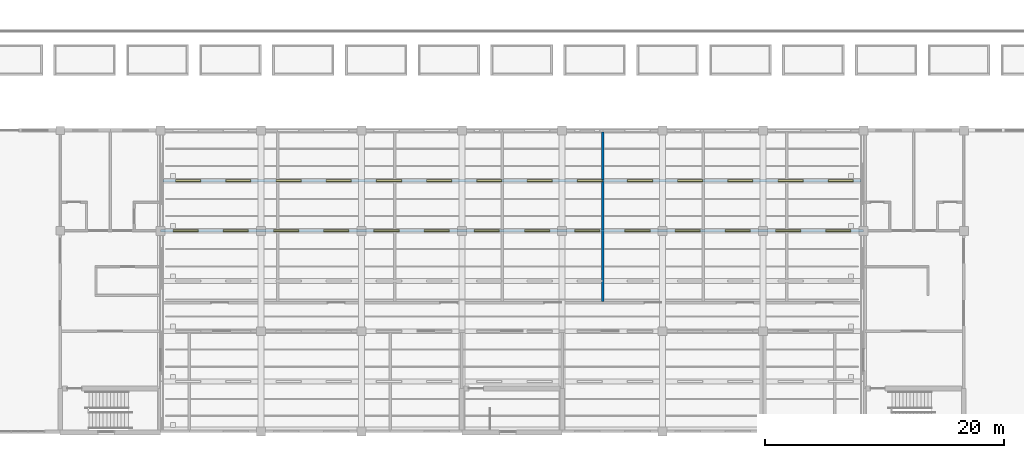
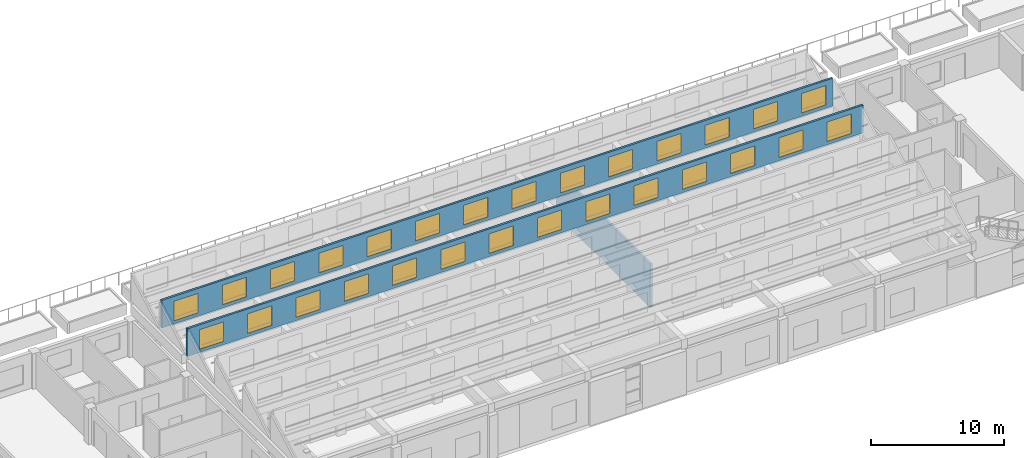
# One storey, part 36 of 61: 28 windows, 3 walls, 28 openings.
"""IFC4 building model written with IfcOpenShell, lengths in metres."""

from ifc_helpers import new_model, si_unit, direction, frame, frame_2d, origin, place, context, subcontext, project, spatial, rectangle, extrude, material, layer, layer_set, type_object, element, fill, save


model = new_model("IFC4")

# Units and contexts
model_context = context("Model", 3, precision=1e-05, world=origin(), true_north=direction((0.0, 1.0)))
body_context = subcontext(model_context, "Body", "Model", "MODEL_VIEW")
ifc_project = project(units=[si_unit("LENGTHUNIT", "METRE"), si_unit("AREAUNIT", "SQUARE_METRE"), si_unit("VOLUMEUNIT", "CUBIC_METRE"), si_unit("PLANEANGLEUNIT", "RADIAN"), si_unit("MASSUNIT", "GRAM", prefix="KILO")], contexts=[model_context])

# Site, building, storey
site_placement = place(None, origin())
site = spatial("IfcSite", under=ifc_project, at=site_placement, CompositionType="ELEMENT")
building_placement = place(site_placement, origin())
building = spatial("IfcBuilding", under=site, at=building_placement, Name="Yavir Park General Hospital", CompositionType="ELEMENT")
storey_placement = place(building_placement, frame((0.0, 0.0, 15.300048828125)))
storey = spatial("IfcBuildingStorey", under=building, at=storey_placement, Name="L03", CompositionType="ELEMENT", Elevation=15.300048828125)

# Wall
ifc_material_1 = material(Name="Double gypsum board fire partition on steel studs", Category="steel")
ifc_layer_1 = layer(ifc_material_1, 0.199951171875)
ifc_layer_set_1 = layer_set([ifc_layer_1], Name="Double gypsum board fire partition on steel studs")
wall_type_1 = type_object("IfcWallType", Name="Fire-rated partition 200, EI 60", PredefinedType="PARTITIONING", material=ifc_layer_set_1)
wall_1_placement = place(storey_placement, frame((79.0, 10.89990234375, 0.0), z_axis=(0.0, 0.0, 1.0), x_axis=(0.0, 1.0, 0.0)))
element("IfcWall", 1, at=wall_1_placement, inside=storey, type_object=wall_type_1, Name="FP20 L03-238", PredefinedType="PARTITIONING", context=body_context, shape_type="SweptSolid", body=[
    extrude(rectangle(XDim=14.150146484375, YDim=0.199951171875, at=frame_2d((7.0751953125, 0.0))), origin(), (0.0, 0.0, 1.0), 4.0),
])

# Wall, openings, windows
ifc_material_2 = material(Name="Concrete C30/37 upstand with 80 mm mineral wool insulation", Category="concrete")
ifc_layer_2 = layer(ifc_material_2, 0.199951171875)
ifc_layer_set_2 = layer_set([ifc_layer_2], Name="Concrete C30/37 upstand with 80 mm mineral wool insulation")
wall_type_2 = type_object("IfcWallType", Name="Reinforced concrete louvre upstand wall 200, E 30", PredefinedType="SOLIDWALL", material=ifc_layer_set_2)
wall_2_placement = place(storey_placement, frame((42.0, 16.800048828125, 4.904052734375), z_axis=(0.0, 0.0, 1.0), x_axis=(1.0, 0.0, 0.0)))
wall_2 = element("IfcWall", 2, at=wall_2_placement, inside=storey, type_object=wall_type_2, Name="XW11 L03-S04", PredefinedType="SOLIDWALL", context=body_context, shape_type="SweptSolid", body=[
    extrude(rectangle(XDim=58.800048828125, YDim=0.199951171875, at=frame_2d((29.39990234375, 0.0))), origin(), (0.0, 0.0, 1.0), 2.538818359375),
])
opening_1_placement = place(wall_2_placement, frame((1.050048828125, 0.0, 0.300048828125)))
opening_1 = element("IfcOpeningElement", 3, at=opening_1_placement, cuts=wall_2, Name="Opening LV5", PredefinedType="OPENING", context=body_context, shape_type="SweptSolid", body=[
    extrude(rectangle(XDim=2.10009765625, YDim=1.800048828125, at=frame_2d((1.050048828125, 0.89990234375))), frame((0.0, 0.10986328125, 0.0), z_axis=(0.0, -1.0, 0.0), x_axis=(1.0, 0.0, 0.0)), (0.0, 0.0, 1.0), 0.219970703125),
])
opening_2_placement = place(wall_2_placement, frame((5.25, 0.0, 0.300048828125)))
opening_2 = element("IfcOpeningElement", 4, at=opening_2_placement, cuts=wall_2, Name="Opening LV5", PredefinedType="OPENING", context=body_context, shape_type="SweptSolid", body=[
    extrude(rectangle(XDim=2.10009765625, YDim=1.800048828125, at=frame_2d((1.050048828125, 0.89990234375))), frame((0.0, 0.10986328125, 0.0), z_axis=(0.0, -1.0, 0.0), x_axis=(1.0, 0.0, 0.0)), (0.0, 0.0, 1.0), 0.219970703125),
])
opening_3_placement = place(wall_2_placement, frame((9.449951171875, 0.0, 0.300048828125)))
opening_3 = element("IfcOpeningElement", 5, at=opening_3_placement, cuts=wall_2, Name="Opening LV5", PredefinedType="OPENING", context=body_context, shape_type="SweptSolid", body=[
    extrude(rectangle(XDim=2.10009765625, YDim=1.800048828125, at=frame_2d((1.050048828125, 0.89990234375))), frame((0.0, 0.10986328125, 0.0), z_axis=(0.0, -1.0, 0.0), x_axis=(1.0, 0.0, 0.0)), (0.0, 0.0, 1.0), 0.219970703125),
])
opening_4_placement = place(wall_2_placement, frame((13.64990234375, 0.0, 0.300048828125)))
opening_4 = element("IfcOpeningElement", 6, at=opening_4_placement, cuts=wall_2, Name="Opening LV5", PredefinedType="OPENING", context=body_context, shape_type="SweptSolid", body=[
    extrude(rectangle(XDim=2.10009765625, YDim=1.800048828125, at=frame_2d((1.050048828125, 0.89990234375))), frame((0.0, 0.10986328125, 0.0), z_axis=(0.0, -1.0, 0.0), x_axis=(1.0, 0.0, 0.0)), (0.0, 0.0, 1.0), 0.219970703125),
])
opening_5_placement = place(wall_2_placement, frame((17.85009765625, 0.0, 0.300048828125)))
opening_5 = element("IfcOpeningElement", 7, at=opening_5_placement, cuts=wall_2, Name="Opening LV5", PredefinedType="OPENING", context=body_context, shape_type="SweptSolid", body=[
    extrude(rectangle(XDim=2.10009765625, YDim=1.800048828125, at=frame_2d((1.050048828125, 0.89990234375))), frame((0.0, 0.10986328125, 0.0), z_axis=(0.0, -1.0, 0.0), x_axis=(1.0, 0.0, 0.0)), (0.0, 0.0, 1.0), 0.219970703125),
])
opening_6_placement = place(wall_2_placement, frame((22.050048828125, 0.0, 0.300048828125)))
opening_6 = element("IfcOpeningElement", 8, at=opening_6_placement, cuts=wall_2, Name="Opening LV5", PredefinedType="OPENING", context=body_context, shape_type="SweptSolid", body=[
    extrude(rectangle(XDim=2.10009765625, YDim=1.800048828125, at=frame_2d((1.050048828125, 0.89990234375))), frame((0.0, 0.10986328125, 0.0), z_axis=(0.0, -1.0, 0.0), x_axis=(1.0, 0.0, 0.0)), (0.0, 0.0, 1.0), 0.219970703125),
])
opening_7_placement = place(wall_2_placement, frame((26.25, 0.0, 0.300048828125)))
opening_7 = element("IfcOpeningElement", 9, at=opening_7_placement, cuts=wall_2, Name="Opening LV5", PredefinedType="OPENING", context=body_context, shape_type="SweptSolid", body=[
    extrude(rectangle(XDim=2.10009765625, YDim=1.800048828125, at=frame_2d((1.050048828125, 0.89990234375))), frame((0.0, 0.10986328125, 0.0), z_axis=(0.0, -1.0, 0.0), x_axis=(1.0, 0.0, 0.0)), (0.0, 0.0, 1.0), 0.219970703125),
])
opening_8_placement = place(wall_2_placement, frame((30.449951171875, 0.0, 0.300048828125)))
opening_8 = element("IfcOpeningElement", 10, at=opening_8_placement, cuts=wall_2, Name="Opening LV5", PredefinedType="OPENING", context=body_context, shape_type="SweptSolid", body=[
    extrude(rectangle(XDim=2.10009765625, YDim=1.800048828125, at=frame_2d((1.050048828125, 0.89990234375))), frame((0.0, 0.10986328125, 0.0), z_axis=(0.0, -1.0, 0.0), x_axis=(1.0, 0.0, 0.0)), (0.0, 0.0, 1.0), 0.219970703125),
])
opening_9_placement = place(wall_2_placement, frame((34.64990234375, 0.0, 0.300048828125)))
opening_9 = element("IfcOpeningElement", 11, at=opening_9_placement, cuts=wall_2, Name="Opening LV5", PredefinedType="OPENING", context=body_context, shape_type="SweptSolid", body=[
    extrude(rectangle(XDim=2.10009765625, YDim=1.800048828125, at=frame_2d((1.050048828125, 0.89990234375))), frame((0.0, 0.10986328125, 0.0), z_axis=(0.0, -1.0, 0.0), x_axis=(1.0, 0.0, 0.0)), (0.0, 0.0, 1.0), 0.219970703125),
])
opening_10_placement = place(wall_2_placement, frame((38.85009765625, 0.0, 0.300048828125)))
opening_10 = element("IfcOpeningElement", 12, at=opening_10_placement, cuts=wall_2, Name="Opening LV5", PredefinedType="OPENING", context=body_context, shape_type="SweptSolid", body=[
    extrude(rectangle(XDim=2.10009765625, YDim=1.800048828125, at=frame_2d((1.050048828125, 0.89990234375))), frame((0.0, 0.10986328125, 0.0), z_axis=(0.0, -1.0, 0.0), x_axis=(1.0, 0.0, 0.0)), (0.0, 0.0, 1.0), 0.219970703125),
])
opening_11_placement = place(wall_2_placement, frame((43.050048828125, 0.0, 0.300048828125)))
opening_11 = element("IfcOpeningElement", 13, at=opening_11_placement, cuts=wall_2, Name="Opening LV5", PredefinedType="OPENING", context=body_context, shape_type="SweptSolid", body=[
    extrude(rectangle(XDim=2.10009765625, YDim=1.800048828125, at=frame_2d((1.050048828125, 0.89990234375))), frame((0.0, 0.10986328125, 0.0), z_axis=(0.0, -1.0, 0.0), x_axis=(1.0, 0.0, 0.0)), (0.0, 0.0, 1.0), 0.219970703125),
])
opening_12_placement = place(wall_2_placement, frame((47.25, 0.0, 0.300048828125)))
opening_12 = element("IfcOpeningElement", 14, at=opening_12_placement, cuts=wall_2, Name="Opening LV5", PredefinedType="OPENING", context=body_context, shape_type="SweptSolid", body=[
    extrude(rectangle(XDim=2.10009765625, YDim=1.800048828125, at=frame_2d((1.050048828125, 0.89990234375))), frame((0.0, 0.10986328125, 0.0), z_axis=(0.0, -1.0, 0.0), x_axis=(1.0, 0.0, 0.0)), (0.0, 0.0, 1.0), 0.219970703125),
])
opening_13_placement = place(wall_2_placement, frame((51.449951171875, 0.0, 0.300048828125)))
opening_13 = element("IfcOpeningElement", 15, at=opening_13_placement, cuts=wall_2, Name="Opening LV5", PredefinedType="OPENING", context=body_context, shape_type="SweptSolid", body=[
    extrude(rectangle(XDim=2.10009765625, YDim=1.800048828125, at=frame_2d((1.050048828125, 0.89990234375))), frame((0.0, 0.10986328125, 0.0), z_axis=(0.0, -1.0, 0.0), x_axis=(1.0, 0.0, 0.0)), (0.0, 0.0, 1.0), 0.219970703125),
])
opening_14_placement = place(wall_2_placement, frame((55.64990234375, 0.0, 0.300048828125)))
opening_14 = element("IfcOpeningElement", 16, at=opening_14_placement, cuts=wall_2, Name="Opening LV5", PredefinedType="OPENING", context=body_context, shape_type="SweptSolid", body=[
    extrude(rectangle(XDim=2.10009765625, YDim=1.800048828125, at=frame_2d((1.050048828125, 0.89990234375))), frame((0.0, 0.10986328125, 0.0), z_axis=(0.0, -1.0, 0.0), x_axis=(1.0, 0.0, 0.0)), (0.0, 0.0, 1.0), 0.219970703125),
])
ifc_material_3 = material(Name="Anodised aluminium louvre blades in a deep frame", Category="aluminium")
window_type = type_object("IfcWindowType", Name="Sawtooth louvre 2100 x 1800", PartitioningType="SINGLE_PANEL", PredefinedType="WINDOW", material=ifc_material_3)
window_1_placement = place(opening_1_placement, origin())
window_1 = element("IfcWindow", 17, at=window_1_placement, inside=storey, type_object=window_type, Name="LV5 L03-S04-01", OverallHeight=1.800048828125, OverallWidth=2.10009765625, PartitioningType="SINGLE_PANEL", PredefinedType="WINDOW", context=body_context, shape_type="SweptSolid", body=[
    extrude(rectangle(XDim=2.10009765625, YDim=1.800048828125, at=frame_2d((1.050048828125, 0.89990234375))), frame((0.0, 0.074951171875, 0.0), z_axis=(0.0, -1.0, 0.0), x_axis=(1.0, 0.0, 0.0)), (0.0, 0.0, 1.0), 0.14990234375),
])
fill(opening_1, window_1)
window_2_placement = place(opening_2_placement, origin())
window_2 = element("IfcWindow", 18, at=window_2_placement, inside=storey, type_object=window_type, Name="LV5 L03-S04-02", OverallHeight=1.800048828125, OverallWidth=2.10009765625, PartitioningType="SINGLE_PANEL", PredefinedType="WINDOW", context=body_context, shape_type="SweptSolid", body=[
    extrude(rectangle(XDim=2.10009765625, YDim=1.800048828125, at=frame_2d((1.050048828125, 0.89990234375))), frame((0.0, 0.074951171875, 0.0), z_axis=(0.0, -1.0, 0.0), x_axis=(1.0, 0.0, 0.0)), (0.0, 0.0, 1.0), 0.14990234375),
])
fill(opening_2, window_2)
window_3_placement = place(opening_3_placement, origin())
window_3 = element("IfcWindow", 19, at=window_3_placement, inside=storey, type_object=window_type, Name="LV5 L03-S04-03", OverallHeight=1.800048828125, OverallWidth=2.10009765625, PartitioningType="SINGLE_PANEL", PredefinedType="WINDOW", context=body_context, shape_type="SweptSolid", body=[
    extrude(rectangle(XDim=2.10009765625, YDim=1.800048828125, at=frame_2d((1.050048828125, 0.89990234375))), frame((0.0, 0.074951171875, 0.0), z_axis=(0.0, -1.0, 0.0), x_axis=(1.0, 0.0, 0.0)), (0.0, 0.0, 1.0), 0.14990234375),
])
fill(opening_3, window_3)
window_4_placement = place(opening_4_placement, origin())
window_4 = element("IfcWindow", 20, at=window_4_placement, inside=storey, type_object=window_type, Name="LV5 L03-S04-04", OverallHeight=1.800048828125, OverallWidth=2.10009765625, PartitioningType="SINGLE_PANEL", PredefinedType="WINDOW", context=body_context, shape_type="SweptSolid", body=[
    extrude(rectangle(XDim=2.10009765625, YDim=1.800048828125, at=frame_2d((1.050048828125, 0.89990234375))), frame((0.0, 0.074951171875, 0.0), z_axis=(0.0, -1.0, 0.0), x_axis=(1.0, 0.0, 0.0)), (0.0, 0.0, 1.0), 0.14990234375),
])
fill(opening_4, window_4)
window_5_placement = place(opening_5_placement, origin())
window_5 = element("IfcWindow", 21, at=window_5_placement, inside=storey, type_object=window_type, Name="LV5 L03-S04-05", OverallHeight=1.800048828125, OverallWidth=2.10009765625, PartitioningType="SINGLE_PANEL", PredefinedType="WINDOW", context=body_context, shape_type="SweptSolid", body=[
    extrude(rectangle(XDim=2.10009765625, YDim=1.800048828125, at=frame_2d((1.050048828125, 0.89990234375))), frame((0.0, 0.074951171875, 0.0), z_axis=(0.0, -1.0, 0.0), x_axis=(1.0, 0.0, 0.0)), (0.0, 0.0, 1.0), 0.14990234375),
])
fill(opening_5, window_5)
window_6_placement = place(opening_6_placement, origin())
window_6 = element("IfcWindow", 22, at=window_6_placement, inside=storey, type_object=window_type, Name="LV5 L03-S04-06", OverallHeight=1.800048828125, OverallWidth=2.10009765625, PartitioningType="SINGLE_PANEL", PredefinedType="WINDOW", context=body_context, shape_type="SweptSolid", body=[
    extrude(rectangle(XDim=2.10009765625, YDim=1.800048828125, at=frame_2d((1.050048828125, 0.89990234375))), frame((0.0, 0.074951171875, 0.0), z_axis=(0.0, -1.0, 0.0), x_axis=(1.0, 0.0, 0.0)), (0.0, 0.0, 1.0), 0.14990234375),
])
fill(opening_6, window_6)
window_7_placement = place(opening_7_placement, origin())
window_7 = element("IfcWindow", 23, at=window_7_placement, inside=storey, type_object=window_type, Name="LV5 L03-S04-07", OverallHeight=1.800048828125, OverallWidth=2.10009765625, PartitioningType="SINGLE_PANEL", PredefinedType="WINDOW", context=body_context, shape_type="SweptSolid", body=[
    extrude(rectangle(XDim=2.10009765625, YDim=1.800048828125, at=frame_2d((1.050048828125, 0.89990234375))), frame((0.0, 0.074951171875, 0.0), z_axis=(0.0, -1.0, 0.0), x_axis=(1.0, 0.0, 0.0)), (0.0, 0.0, 1.0), 0.14990234375),
])
fill(opening_7, window_7)
window_8_placement = place(opening_8_placement, origin())
window_8 = element("IfcWindow", 24, at=window_8_placement, inside=storey, type_object=window_type, Name="LV5 L03-S04-08", OverallHeight=1.800048828125, OverallWidth=2.10009765625, PartitioningType="SINGLE_PANEL", PredefinedType="WINDOW", context=body_context, shape_type="SweptSolid", body=[
    extrude(rectangle(XDim=2.10009765625, YDim=1.800048828125, at=frame_2d((1.050048828125, 0.89990234375))), frame((0.0, 0.074951171875, 0.0), z_axis=(0.0, -1.0, 0.0), x_axis=(1.0, 0.0, 0.0)), (0.0, 0.0, 1.0), 0.14990234375),
])
fill(opening_8, window_8)
window_9_placement = place(opening_9_placement, origin())
window_9 = element("IfcWindow", 25, at=window_9_placement, inside=storey, type_object=window_type, Name="LV5 L03-S04-09", OverallHeight=1.800048828125, OverallWidth=2.10009765625, PartitioningType="SINGLE_PANEL", PredefinedType="WINDOW", context=body_context, shape_type="SweptSolid", body=[
    extrude(rectangle(XDim=2.10009765625, YDim=1.800048828125, at=frame_2d((1.050048828125, 0.89990234375))), frame((0.0, 0.074951171875, 0.0), z_axis=(0.0, -1.0, 0.0), x_axis=(1.0, 0.0, 0.0)), (0.0, 0.0, 1.0), 0.14990234375),
])
fill(opening_9, window_9)
window_10_placement = place(opening_10_placement, origin())
window_10 = element("IfcWindow", 26, at=window_10_placement, inside=storey, type_object=window_type, Name="LV5 L03-S04-10", OverallHeight=1.800048828125, OverallWidth=2.10009765625, PartitioningType="SINGLE_PANEL", PredefinedType="WINDOW", context=body_context, shape_type="SweptSolid", body=[
    extrude(rectangle(XDim=2.10009765625, YDim=1.800048828125, at=frame_2d((1.050048828125, 0.89990234375))), frame((0.0, 0.074951171875, 0.0), z_axis=(0.0, -1.0, 0.0), x_axis=(1.0, 0.0, 0.0)), (0.0, 0.0, 1.0), 0.14990234375),
])
fill(opening_10, window_10)
window_11_placement = place(opening_11_placement, origin())
window_11 = element("IfcWindow", 27, at=window_11_placement, inside=storey, type_object=window_type, Name="LV5 L03-S04-11", OverallHeight=1.800048828125, OverallWidth=2.10009765625, PartitioningType="SINGLE_PANEL", PredefinedType="WINDOW", context=body_context, shape_type="SweptSolid", body=[
    extrude(rectangle(XDim=2.10009765625, YDim=1.800048828125, at=frame_2d((1.050048828125, 0.89990234375))), frame((0.0, 0.074951171875, 0.0), z_axis=(0.0, -1.0, 0.0), x_axis=(1.0, 0.0, 0.0)), (0.0, 0.0, 1.0), 0.14990234375),
])
fill(opening_11, window_11)
window_12_placement = place(opening_12_placement, origin())
window_12 = element("IfcWindow", 28, at=window_12_placement, inside=storey, type_object=window_type, Name="LV5 L03-S04-12", OverallHeight=1.800048828125, OverallWidth=2.10009765625, PartitioningType="SINGLE_PANEL", PredefinedType="WINDOW", context=body_context, shape_type="SweptSolid", body=[
    extrude(rectangle(XDim=2.10009765625, YDim=1.800048828125, at=frame_2d((1.050048828125, 0.89990234375))), frame((0.0, 0.074951171875, 0.0), z_axis=(0.0, -1.0, 0.0), x_axis=(1.0, 0.0, 0.0)), (0.0, 0.0, 1.0), 0.14990234375),
])
fill(opening_12, window_12)
window_13_placement = place(opening_13_placement, origin())
window_13 = element("IfcWindow", 29, at=window_13_placement, inside=storey, type_object=window_type, Name="LV5 L03-S04-13", OverallHeight=1.800048828125, OverallWidth=2.10009765625, PartitioningType="SINGLE_PANEL", PredefinedType="WINDOW", context=body_context, shape_type="SweptSolid", body=[
    extrude(rectangle(XDim=2.10009765625, YDim=1.800048828125, at=frame_2d((1.050048828125, 0.89990234375))), frame((0.0, 0.074951171875, 0.0), z_axis=(0.0, -1.0, 0.0), x_axis=(1.0, 0.0, 0.0)), (0.0, 0.0, 1.0), 0.14990234375),
])
fill(opening_13, window_13)
window_14_placement = place(opening_14_placement, origin())
window_14 = element("IfcWindow", 30, at=window_14_placement, inside=storey, type_object=window_type, Name="LV5 L03-S04-14", OverallHeight=1.800048828125, OverallWidth=2.10009765625, PartitioningType="SINGLE_PANEL", PredefinedType="WINDOW", context=body_context, shape_type="SweptSolid", body=[
    extrude(rectangle(XDim=2.10009765625, YDim=1.800048828125, at=frame_2d((1.050048828125, 0.89990234375))), frame((0.0, 0.074951171875, 0.0), z_axis=(0.0, -1.0, 0.0), x_axis=(1.0, 0.0, 0.0)), (0.0, 0.0, 1.0), 0.14990234375),
])
fill(opening_14, window_14)

wall_3_placement = place(storey_placement, frame((42.2099609375, 21.0, 4.904052734375), z_axis=(0.0, 0.0, 1.0), x_axis=(1.0, 0.0, 0.0)))
wall_3 = element("IfcWall", 31, at=wall_3_placement, inside=storey, type_object=wall_type_2, Name="XW11 L03-S05", PredefinedType="SOLIDWALL", context=body_context, shape_type="SweptSolid", body=[
    extrude(rectangle(XDim=58.380126953125, YDim=0.199951171875, at=frame_2d((29.18994140625, 0.0))), origin(), (0.0, 0.0, 1.0), 2.538818359375),
])
opening_15_placement = place(wall_3_placement, frame((1.050048828125, 0.0, 0.300048828125)))
opening_15 = element("IfcOpeningElement", 32, at=opening_15_placement, cuts=wall_3, Name="Opening LV5", PredefinedType="OPENING", context=body_context, shape_type="SweptSolid", body=[
    extrude(rectangle(XDim=2.10009765625, YDim=1.800048828125, at=frame_2d((1.050048828125, 0.89990234375))), frame((0.0, 0.10986328125, 0.0), z_axis=(0.0, -1.0, 0.0), x_axis=(1.0, 0.0, 0.0)), (0.0, 0.0, 1.0), 0.219970703125),
])
opening_16_placement = place(wall_3_placement, frame((5.25, 0.0, 0.300048828125)))
opening_16 = element("IfcOpeningElement", 33, at=opening_16_placement, cuts=wall_3, Name="Opening LV5", PredefinedType="OPENING", context=body_context, shape_type="SweptSolid", body=[
    extrude(rectangle(XDim=2.10009765625, YDim=1.800048828125, at=frame_2d((1.050048828125, 0.89990234375))), frame((0.0, 0.10986328125, 0.0), z_axis=(0.0, -1.0, 0.0), x_axis=(1.0, 0.0, 0.0)), (0.0, 0.0, 1.0), 0.219970703125),
])
opening_17_placement = place(wall_3_placement, frame((9.449951171875, 0.0, 0.300048828125)))
opening_17 = element("IfcOpeningElement", 34, at=opening_17_placement, cuts=wall_3, Name="Opening LV5", PredefinedType="OPENING", context=body_context, shape_type="SweptSolid", body=[
    extrude(rectangle(XDim=2.10009765625, YDim=1.800048828125, at=frame_2d((1.050048828125, 0.89990234375))), frame((0.0, 0.10986328125, 0.0), z_axis=(0.0, -1.0, 0.0), x_axis=(1.0, 0.0, 0.0)), (0.0, 0.0, 1.0), 0.219970703125),
])
opening_18_placement = place(wall_3_placement, frame((13.64990234375, 0.0, 0.300048828125)))
opening_18 = element("IfcOpeningElement", 35, at=opening_18_placement, cuts=wall_3, Name="Opening LV5", PredefinedType="OPENING", context=body_context, shape_type="SweptSolid", body=[
    extrude(rectangle(XDim=2.10009765625, YDim=1.800048828125, at=frame_2d((1.050048828125, 0.89990234375))), frame((0.0, 0.10986328125, 0.0), z_axis=(0.0, -1.0, 0.0), x_axis=(1.0, 0.0, 0.0)), (0.0, 0.0, 1.0), 0.219970703125),
])
opening_19_placement = place(wall_3_placement, frame((17.85009765625, 0.0, 0.300048828125)))
opening_19 = element("IfcOpeningElement", 36, at=opening_19_placement, cuts=wall_3, Name="Opening LV5", PredefinedType="OPENING", context=body_context, shape_type="SweptSolid", body=[
    extrude(rectangle(XDim=2.10009765625, YDim=1.800048828125, at=frame_2d((1.050048828125, 0.89990234375))), frame((0.0, 0.10986328125, 0.0), z_axis=(0.0, -1.0, 0.0), x_axis=(1.0, 0.0, 0.0)), (0.0, 0.0, 1.0), 0.219970703125),
])
opening_20_placement = place(wall_3_placement, frame((22.050048828125, 0.0, 0.300048828125)))
opening_20 = element("IfcOpeningElement", 37, at=opening_20_placement, cuts=wall_3, Name="Opening LV5", PredefinedType="OPENING", context=body_context, shape_type="SweptSolid", body=[
    extrude(rectangle(XDim=2.10009765625, YDim=1.800048828125, at=frame_2d((1.050048828125, 0.89990234375))), frame((0.0, 0.10986328125, 0.0), z_axis=(0.0, -1.0, 0.0), x_axis=(1.0, 0.0, 0.0)), (0.0, 0.0, 1.0), 0.219970703125),
])
opening_21_placement = place(wall_3_placement, frame((26.25, 0.0, 0.300048828125)))
opening_21 = element("IfcOpeningElement", 38, at=opening_21_placement, cuts=wall_3, Name="Opening LV5", PredefinedType="OPENING", context=body_context, shape_type="SweptSolid", body=[
    extrude(rectangle(XDim=2.10009765625, YDim=1.800048828125, at=frame_2d((1.050048828125, 0.89990234375))), frame((0.0, 0.10986328125, 0.0), z_axis=(0.0, -1.0, 0.0), x_axis=(1.0, 0.0, 0.0)), (0.0, 0.0, 1.0), 0.219970703125),
])
opening_22_placement = place(wall_3_placement, frame((30.449951171875, 0.0, 0.300048828125)))
opening_22 = element("IfcOpeningElement", 39, at=opening_22_placement, cuts=wall_3, Name="Opening LV5", PredefinedType="OPENING", context=body_context, shape_type="SweptSolid", body=[
    extrude(rectangle(XDim=2.10009765625, YDim=1.800048828125, at=frame_2d((1.050048828125, 0.89990234375))), frame((0.0, 0.10986328125, 0.0), z_axis=(0.0, -1.0, 0.0), x_axis=(1.0, 0.0, 0.0)), (0.0, 0.0, 1.0), 0.219970703125),
])
opening_23_placement = place(wall_3_placement, frame((34.64990234375, 0.0, 0.300048828125)))
opening_23 = element("IfcOpeningElement", 40, at=opening_23_placement, cuts=wall_3, Name="Opening LV5", PredefinedType="OPENING", context=body_context, shape_type="SweptSolid", body=[
    extrude(rectangle(XDim=2.10009765625, YDim=1.800048828125, at=frame_2d((1.050048828125, 0.89990234375))), frame((0.0, 0.10986328125, 0.0), z_axis=(0.0, -1.0, 0.0), x_axis=(1.0, 0.0, 0.0)), (0.0, 0.0, 1.0), 0.219970703125),
])
opening_24_placement = place(wall_3_placement, frame((38.85009765625, 0.0, 0.300048828125)))
opening_24 = element("IfcOpeningElement", 41, at=opening_24_placement, cuts=wall_3, Name="Opening LV5", PredefinedType="OPENING", context=body_context, shape_type="SweptSolid", body=[
    extrude(rectangle(XDim=2.10009765625, YDim=1.800048828125, at=frame_2d((1.050048828125, 0.89990234375))), frame((0.0, 0.10986328125, 0.0), z_axis=(0.0, -1.0, 0.0), x_axis=(1.0, 0.0, 0.0)), (0.0, 0.0, 1.0), 0.219970703125),
])
opening_25_placement = place(wall_3_placement, frame((43.050048828125, 0.0, 0.300048828125)))
opening_25 = element("IfcOpeningElement", 42, at=opening_25_placement, cuts=wall_3, Name="Opening LV5", PredefinedType="OPENING", context=body_context, shape_type="SweptSolid", body=[
    extrude(rectangle(XDim=2.10009765625, YDim=1.800048828125, at=frame_2d((1.050048828125, 0.89990234375))), frame((0.0, 0.10986328125, 0.0), z_axis=(0.0, -1.0, 0.0), x_axis=(1.0, 0.0, 0.0)), (0.0, 0.0, 1.0), 0.219970703125),
])
opening_26_placement = place(wall_3_placement, frame((47.25, 0.0, 0.300048828125)))
opening_26 = element("IfcOpeningElement", 43, at=opening_26_placement, cuts=wall_3, Name="Opening LV5", PredefinedType="OPENING", context=body_context, shape_type="SweptSolid", body=[
    extrude(rectangle(XDim=2.10009765625, YDim=1.800048828125, at=frame_2d((1.050048828125, 0.89990234375))), frame((0.0, 0.10986328125, 0.0), z_axis=(0.0, -1.0, 0.0), x_axis=(1.0, 0.0, 0.0)), (0.0, 0.0, 1.0), 0.219970703125),
])
opening_27_placement = place(wall_3_placement, frame((51.449951171875, 0.0, 0.300048828125)))
opening_27 = element("IfcOpeningElement", 44, at=opening_27_placement, cuts=wall_3, Name="Opening LV5", PredefinedType="OPENING", context=body_context, shape_type="SweptSolid", body=[
    extrude(rectangle(XDim=2.10009765625, YDim=1.800048828125, at=frame_2d((1.050048828125, 0.89990234375))), frame((0.0, 0.10986328125, 0.0), z_axis=(0.0, -1.0, 0.0), x_axis=(1.0, 0.0, 0.0)), (0.0, 0.0, 1.0), 0.219970703125),
])
opening_28_placement = place(wall_3_placement, frame((55.64990234375, 0.0, 0.300048828125)))
opening_28 = element("IfcOpeningElement", 45, at=opening_28_placement, cuts=wall_3, Name="Opening LV5", PredefinedType="OPENING", context=body_context, shape_type="SweptSolid", body=[
    extrude(rectangle(XDim=2.10009765625, YDim=1.800048828125, at=frame_2d((1.050048828125, 0.89990234375))), frame((0.0, 0.10986328125, 0.0), z_axis=(0.0, -1.0, 0.0), x_axis=(1.0, 0.0, 0.0)), (0.0, 0.0, 1.0), 0.219970703125),
])
window_15_placement = place(opening_15_placement, origin())
window_15 = element("IfcWindow", 46, at=window_15_placement, inside=storey, type_object=window_type, Name="LV5 L03-S05-01", OverallHeight=1.800048828125, OverallWidth=2.10009765625, PartitioningType="SINGLE_PANEL", PredefinedType="WINDOW", context=body_context, shape_type="SweptSolid", body=[
    extrude(rectangle(XDim=2.10009765625, YDim=1.800048828125, at=frame_2d((1.050048828125, 0.89990234375))), frame((0.0, 0.074951171875, 0.0), z_axis=(0.0, -1.0, 0.0), x_axis=(1.0, 0.0, 0.0)), (0.0, 0.0, 1.0), 0.14990234375),
])
fill(opening_15, window_15)
window_16_placement = place(opening_16_placement, origin())
window_16 = element("IfcWindow", 47, at=window_16_placement, inside=storey, type_object=window_type, Name="LV5 L03-S05-02", OverallHeight=1.800048828125, OverallWidth=2.10009765625, PartitioningType="SINGLE_PANEL", PredefinedType="WINDOW", context=body_context, shape_type="SweptSolid", body=[
    extrude(rectangle(XDim=2.10009765625, YDim=1.800048828125, at=frame_2d((1.050048828125, 0.89990234375))), frame((0.0, 0.074951171875, 0.0), z_axis=(0.0, -1.0, 0.0), x_axis=(1.0, 0.0, 0.0)), (0.0, 0.0, 1.0), 0.14990234375),
])
fill(opening_16, window_16)
window_17_placement = place(opening_17_placement, origin())
window_17 = element("IfcWindow", 48, at=window_17_placement, inside=storey, type_object=window_type, Name="LV5 L03-S05-03", OverallHeight=1.800048828125, OverallWidth=2.10009765625, PartitioningType="SINGLE_PANEL", PredefinedType="WINDOW", context=body_context, shape_type="SweptSolid", body=[
    extrude(rectangle(XDim=2.10009765625, YDim=1.800048828125, at=frame_2d((1.050048828125, 0.89990234375))), frame((0.0, 0.074951171875, 0.0), z_axis=(0.0, -1.0, 0.0), x_axis=(1.0, 0.0, 0.0)), (0.0, 0.0, 1.0), 0.14990234375),
])
fill(opening_17, window_17)
window_18_placement = place(opening_18_placement, origin())
window_18 = element("IfcWindow", 49, at=window_18_placement, inside=storey, type_object=window_type, Name="LV5 L03-S05-04", OverallHeight=1.800048828125, OverallWidth=2.10009765625, PartitioningType="SINGLE_PANEL", PredefinedType="WINDOW", context=body_context, shape_type="SweptSolid", body=[
    extrude(rectangle(XDim=2.10009765625, YDim=1.800048828125, at=frame_2d((1.050048828125, 0.89990234375))), frame((0.0, 0.074951171875, 0.0), z_axis=(0.0, -1.0, 0.0), x_axis=(1.0, 0.0, 0.0)), (0.0, 0.0, 1.0), 0.14990234375),
])
fill(opening_18, window_18)
window_19_placement = place(opening_19_placement, origin())
window_19 = element("IfcWindow", 50, at=window_19_placement, inside=storey, type_object=window_type, Name="LV5 L03-S05-05", OverallHeight=1.800048828125, OverallWidth=2.10009765625, PartitioningType="SINGLE_PANEL", PredefinedType="WINDOW", context=body_context, shape_type="SweptSolid", body=[
    extrude(rectangle(XDim=2.10009765625, YDim=1.800048828125, at=frame_2d((1.050048828125, 0.89990234375))), frame((0.0, 0.074951171875, 0.0), z_axis=(0.0, -1.0, 0.0), x_axis=(1.0, 0.0, 0.0)), (0.0, 0.0, 1.0), 0.14990234375),
])
fill(opening_19, window_19)
window_20_placement = place(opening_20_placement, origin())
window_20 = element("IfcWindow", 51, at=window_20_placement, inside=storey, type_object=window_type, Name="LV5 L03-S05-06", OverallHeight=1.800048828125, OverallWidth=2.10009765625, PartitioningType="SINGLE_PANEL", PredefinedType="WINDOW", context=body_context, shape_type="SweptSolid", body=[
    extrude(rectangle(XDim=2.10009765625, YDim=1.800048828125, at=frame_2d((1.050048828125, 0.89990234375))), frame((0.0, 0.074951171875, 0.0), z_axis=(0.0, -1.0, 0.0), x_axis=(1.0, 0.0, 0.0)), (0.0, 0.0, 1.0), 0.14990234375),
])
fill(opening_20, window_20)
window_21_placement = place(opening_21_placement, origin())
window_21 = element("IfcWindow", 52, at=window_21_placement, inside=storey, type_object=window_type, Name="LV5 L03-S05-07", OverallHeight=1.800048828125, OverallWidth=2.10009765625, PartitioningType="SINGLE_PANEL", PredefinedType="WINDOW", context=body_context, shape_type="SweptSolid", body=[
    extrude(rectangle(XDim=2.10009765625, YDim=1.800048828125, at=frame_2d((1.050048828125, 0.89990234375))), frame((0.0, 0.074951171875, 0.0), z_axis=(0.0, -1.0, 0.0), x_axis=(1.0, 0.0, 0.0)), (0.0, 0.0, 1.0), 0.14990234375),
])
fill(opening_21, window_21)
window_22_placement = place(opening_22_placement, origin())
window_22 = element("IfcWindow", 53, at=window_22_placement, inside=storey, type_object=window_type, Name="LV5 L03-S05-08", OverallHeight=1.800048828125, OverallWidth=2.10009765625, PartitioningType="SINGLE_PANEL", PredefinedType="WINDOW", context=body_context, shape_type="SweptSolid", body=[
    extrude(rectangle(XDim=2.10009765625, YDim=1.800048828125, at=frame_2d((1.050048828125, 0.89990234375))), frame((0.0, 0.074951171875, 0.0), z_axis=(0.0, -1.0, 0.0), x_axis=(1.0, 0.0, 0.0)), (0.0, 0.0, 1.0), 0.14990234375),
])
fill(opening_22, window_22)
window_23_placement = place(opening_23_placement, origin())
window_23 = element("IfcWindow", 54, at=window_23_placement, inside=storey, type_object=window_type, Name="LV5 L03-S05-09", OverallHeight=1.800048828125, OverallWidth=2.10009765625, PartitioningType="SINGLE_PANEL", PredefinedType="WINDOW", context=body_context, shape_type="SweptSolid", body=[
    extrude(rectangle(XDim=2.10009765625, YDim=1.800048828125, at=frame_2d((1.050048828125, 0.89990234375))), frame((0.0, 0.074951171875, 0.0), z_axis=(0.0, -1.0, 0.0), x_axis=(1.0, 0.0, 0.0)), (0.0, 0.0, 1.0), 0.14990234375),
])
fill(opening_23, window_23)
window_24_placement = place(opening_24_placement, origin())
window_24 = element("IfcWindow", 55, at=window_24_placement, inside=storey, type_object=window_type, Name="LV5 L03-S05-10", OverallHeight=1.800048828125, OverallWidth=2.10009765625, PartitioningType="SINGLE_PANEL", PredefinedType="WINDOW", context=body_context, shape_type="SweptSolid", body=[
    extrude(rectangle(XDim=2.10009765625, YDim=1.800048828125, at=frame_2d((1.050048828125, 0.89990234375))), frame((0.0, 0.074951171875, 0.0), z_axis=(0.0, -1.0, 0.0), x_axis=(1.0, 0.0, 0.0)), (0.0, 0.0, 1.0), 0.14990234375),
])
fill(opening_24, window_24)
window_25_placement = place(opening_25_placement, origin())
window_25 = element("IfcWindow", 56, at=window_25_placement, inside=storey, type_object=window_type, Name="LV5 L03-S05-11", OverallHeight=1.800048828125, OverallWidth=2.10009765625, PartitioningType="SINGLE_PANEL", PredefinedType="WINDOW", context=body_context, shape_type="SweptSolid", body=[
    extrude(rectangle(XDim=2.10009765625, YDim=1.800048828125, at=frame_2d((1.050048828125, 0.89990234375))), frame((0.0, 0.074951171875, 0.0), z_axis=(0.0, -1.0, 0.0), x_axis=(1.0, 0.0, 0.0)), (0.0, 0.0, 1.0), 0.14990234375),
])
fill(opening_25, window_25)
window_26_placement = place(opening_26_placement, origin())
window_26 = element("IfcWindow", 57, at=window_26_placement, inside=storey, type_object=window_type, Name="LV5 L03-S05-12", OverallHeight=1.800048828125, OverallWidth=2.10009765625, PartitioningType="SINGLE_PANEL", PredefinedType="WINDOW", context=body_context, shape_type="SweptSolid", body=[
    extrude(rectangle(XDim=2.10009765625, YDim=1.800048828125, at=frame_2d((1.050048828125, 0.89990234375))), frame((0.0, 0.074951171875, 0.0), z_axis=(0.0, -1.0, 0.0), x_axis=(1.0, 0.0, 0.0)), (0.0, 0.0, 1.0), 0.14990234375),
])
fill(opening_26, window_26)
window_27_placement = place(opening_27_placement, origin())
window_27 = element("IfcWindow", 58, at=window_27_placement, inside=storey, type_object=window_type, Name="LV5 L03-S05-13", OverallHeight=1.800048828125, OverallWidth=2.10009765625, PartitioningType="SINGLE_PANEL", PredefinedType="WINDOW", context=body_context, shape_type="SweptSolid", body=[
    extrude(rectangle(XDim=2.10009765625, YDim=1.800048828125, at=frame_2d((1.050048828125, 0.89990234375))), frame((0.0, 0.074951171875, 0.0), z_axis=(0.0, -1.0, 0.0), x_axis=(1.0, 0.0, 0.0)), (0.0, 0.0, 1.0), 0.14990234375),
])
fill(opening_27, window_27)
window_28_placement = place(opening_28_placement, origin())
window_28 = element("IfcWindow", 59, at=window_28_placement, inside=storey, type_object=window_type, Name="LV5 L03-S05-14", OverallHeight=1.800048828125, OverallWidth=2.10009765625, PartitioningType="SINGLE_PANEL", PredefinedType="WINDOW", context=body_context, shape_type="SweptSolid", body=[
    extrude(rectangle(XDim=2.10009765625, YDim=1.800048828125, at=frame_2d((1.050048828125, 0.89990234375))), frame((0.0, 0.074951171875, 0.0), z_axis=(0.0, -1.0, 0.0), x_axis=(1.0, 0.0, 0.0)), (0.0, 0.0, 1.0), 0.14990234375),
])
fill(opening_28, window_28)

save(model, "model.ifc")
